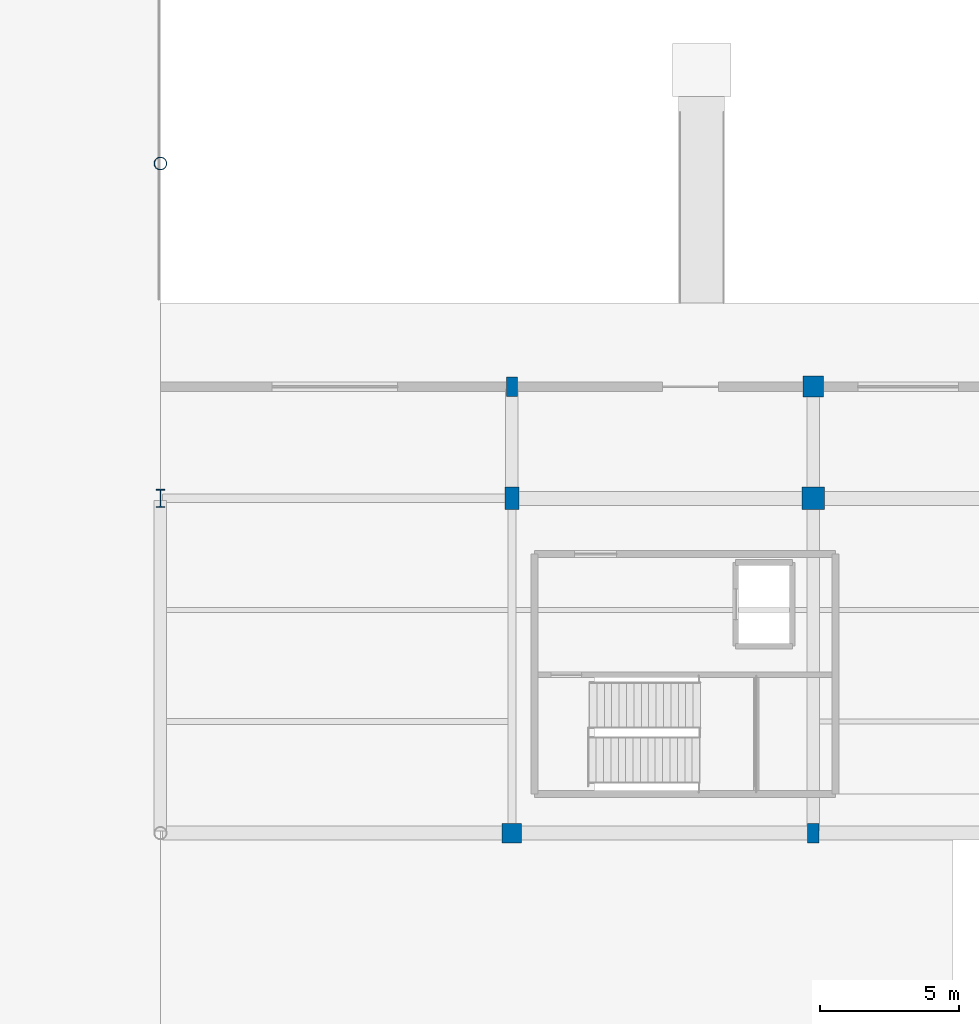
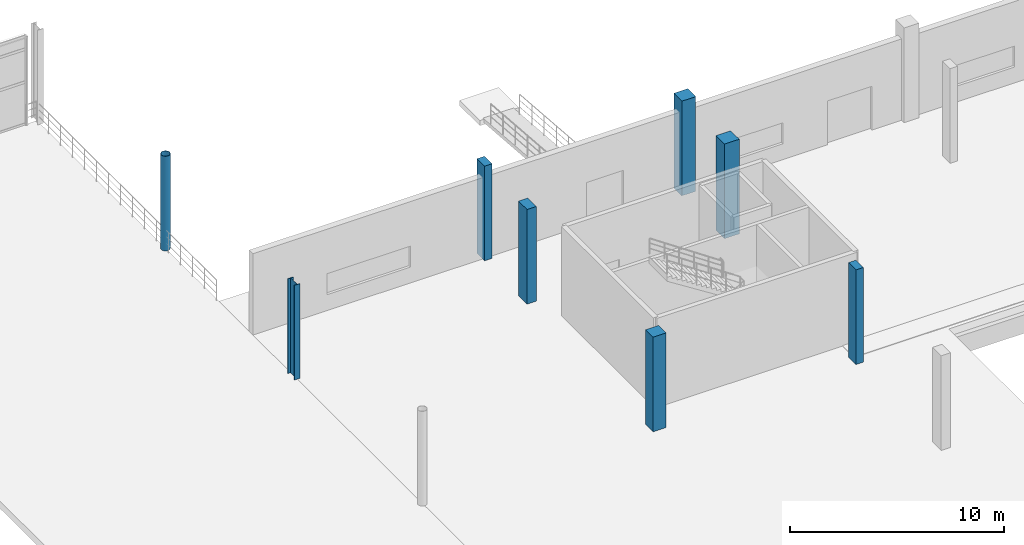
# One storey, part 8 of 85: 8 columns.
"""IFC4 building model written with IfcOpenShell, lengths in metres."""

from ifc_helpers import new_model, si_unit, direction, frame, origin, origin_2d, place, context, subcontext, project, spatial, rectangle, hollow_circle, i_section, extrude, material, material_profile, profile_set, type_object, element, save


model = new_model("IFC4")

# Units and contexts
model_context = context("Model", 3, precision=1e-05, world=origin(), true_north=direction((0.0, 1.0)))
body_context = subcontext(model_context, "Body", "Model", "MODEL_VIEW")
ifc_project = project(units=[si_unit("LENGTHUNIT", "METRE"), si_unit("AREAUNIT", "SQUARE_METRE"), si_unit("VOLUMEUNIT", "CUBIC_METRE"), si_unit("PLANEANGLEUNIT", "RADIAN"), si_unit("MASSUNIT", "GRAM", prefix="KILO"), si_unit("THERMODYNAMICTEMPERATUREUNIT", "KELVIN"), si_unit("POWERUNIT", "WATT")], contexts=[model_context])

# Site, building, storey
site_placement = place(None, origin())
site = spatial("IfcSite", under=ifc_project, at=site_placement, CompositionType="ELEMENT")
building_placement = place(site_placement, origin())
building = spatial("IfcBuilding", under=site, at=building_placement, Name="Solmara Park Aquatics Centre", CompositionType="ELEMENT")
storey_placement = place(building_placement, origin())
storey = spatial("IfcBuildingStorey", under=building, at=storey_placement, Name="L00", CompositionType="ELEMENT", Elevation=0.0)

# Columns
ifc_material_1 = material(Name="Structural Steel S355", Category="steel")
ifc_material_profile_1 = material_profile(ifc_material_1, hollow_circle(Radius=0.228515625, WallThickness=0.01611328125, at=origin_2d()), Name="CHS 457x16")
ifc_profile_set_1 = profile_set([ifc_material_profile_1], Name="Structural Steel S355")
column_type_1 = type_object("IfcColumnType", Name="STR-COL-CHS457", PredefinedType="COLUMN", material=ifc_profile_set_1)
column_1_placement = place(storey_placement, frame((96.60009765625, 60.60009765625, 0.0), z_axis=(0.0, 0.0, 1.0), x_axis=(1.0, 0.0, 0.0)))
element("IfcColumn", 1, at=column_1_placement, inside=storey, type_object=column_type_1, Name="Column L00-0233", PredefinedType="COLUMN", context=body_context, shape_type="SweptSolid", body=[
    extrude(hollow_circle(Radius=0.228515625, WallThickness=0.01611328125, at=origin_2d()), origin(), (0.0, 0.0, 1.0), 5.39990234375),
])
ifc_material_profile_2 = material_profile(ifc_material_1, i_section(OverallWidth=0.300048828125, OverallDepth=0.64990234375, WebThickness=0.01611328125, FlangeThickness=0.031005859375, FilletRadius=0.027099609375, at=origin_2d()), Name="HEB 650")
ifc_profile_set_2 = profile_set([ifc_material_profile_2], Name="Structural Steel S355")
column_type_2 = type_object("IfcColumnType", Name="STR-COL-HEB650", PredefinedType="COLUMN", material=ifc_profile_set_2)
column_2_placement = place(storey_placement, frame((96.60009765625, 48.60009765625, 0.0), z_axis=(0.0, 0.0, 1.0), x_axis=(1.0, 0.0, 0.0)))
element("IfcColumn", 2, at=column_2_placement, inside=storey, type_object=column_type_2, Name="Column L00-0232", PredefinedType="COLUMN", context=body_context, shape_type="SweptSolid", body=[
    extrude(i_section(OverallWidth=0.300048828125, OverallDepth=0.64990234375, WebThickness=0.01611328125, FlangeThickness=0.031005859375, FilletRadius=0.027099609375, at=origin_2d()), origin(), (0.0, 0.0, 1.0), 5.39990234375),
])
ifc_material_2 = material(Name="Concrete C40/50", Category="concrete")
ifc_material_profile_3 = material_profile(ifc_material_2, rectangle(XDim=0.5, YDim=0.800048828125, at=origin_2d()), Name="RC 500x800")
ifc_profile_set_3 = profile_set([ifc_material_profile_3], Name="Concrete C40/50")
column_type_3 = type_object("IfcColumnType", Name="STR-COL-RC500x800", PredefinedType="COLUMN", material=ifc_profile_set_3)
column_3_placement = place(storey_placement, frame((109.199951171875, 48.60009765625, 0.0), z_axis=(0.0, 0.0, 1.0), x_axis=(1.0, 0.0, 0.0)))
element("IfcColumn", 3, at=column_3_placement, inside=storey, type_object=column_type_3, Name="Column L00-0243", PredefinedType="COLUMN", context=body_context, shape_type="SweptSolid", body=[
    extrude(rectangle(XDim=0.5, YDim=0.800048828125, at=origin_2d()), origin(), (0.0, 0.0, 1.0), 5.39990234375),
])
ifc_material_profile_4 = material_profile(ifc_material_2, rectangle(XDim=0.699951171875, YDim=0.699951171875, at=origin_2d()), Name="RC 700x700")
ifc_profile_set_4 = profile_set([ifc_material_profile_4], Name="Concrete C40/50")
column_type_4 = type_object("IfcColumnType", Name="STR-COL-RC700", PredefinedType="COLUMN", material=ifc_profile_set_4)
column_4_placement = place(storey_placement, frame((109.199951171875, 36.60009765625, 0.0), z_axis=(0.0, 0.0, 1.0), x_axis=(1.0, 0.0, 0.0)))
element("IfcColumn", 4, at=column_4_placement, inside=storey, type_object=column_type_4, Name="Column L00-0242", PredefinedType="COLUMN", context=body_context, shape_type="SweptSolid", body=[
    extrude(rectangle(XDim=0.699951171875, YDim=0.699951171875, at=origin_2d()), origin(), (0.0, 0.0, 1.0), 5.39990234375),
])
ifc_material_profile_5 = material_profile(ifc_material_2, rectangle(XDim=0.75, YDim=0.75, at=origin_2d()), Name="RC 750x750")
ifc_profile_set_5 = profile_set([ifc_material_profile_5], Name="Concrete C40/50")
column_type_5 = type_object("IfcColumnType", Name="STR-COL-RC750", PredefinedType="COLUMN", material=ifc_profile_set_5)
column_5_placement = place(storey_placement, frame((120.0, 52.60009765625, 0.0), z_axis=(0.0, 0.0, 1.0), x_axis=(1.0, 0.0, 0.0)))
element("IfcColumn", 5, at=column_5_placement, inside=storey, type_object=column_type_5, Name="Column L00-0256", PredefinedType="COLUMN", context=body_context, shape_type="SweptSolid", body=[
    extrude(rectangle(XDim=0.75, YDim=0.75, at=origin_2d()), origin(), (0.0, 0.0, 1.0), 5.39990234375),
])
ifc_material_profile_6 = material_profile(ifc_material_2, rectangle(XDim=0.800048828125, YDim=0.800048828125, at=origin_2d()), Name="RC 800x800")
ifc_profile_set_6 = profile_set([ifc_material_profile_6], Name="Concrete C40/50")
column_type_6 = type_object("IfcColumnType", Name="STR-COL-RC800", PredefinedType="COLUMN", material=ifc_profile_set_6)
column_6_placement = place(storey_placement, frame((120.0, 48.60009765625, 0.0), z_axis=(0.0, 0.0, 1.0), x_axis=(1.0, 0.0, 0.0)))
element("IfcColumn", 6, at=column_6_placement, inside=storey, type_object=column_type_6, Name="Column L00-0255", PredefinedType="COLUMN", context=body_context, shape_type="SweptSolid", body=[
    extrude(rectangle(XDim=0.800048828125, YDim=0.800048828125, at=origin_2d()), origin(), (0.0, 0.0, 1.0), 5.39990234375),
])
ifc_material_profile_7 = material_profile(ifc_material_2, rectangle(XDim=0.39990234375, YDim=0.699951171875, at=origin_2d()), Name="RC 400x700")
ifc_profile_set_7 = profile_set([ifc_material_profile_7], Name="Concrete C40/50")
column_type_7 = type_object("IfcColumnType", Name="STR-PIL-RC400x700", PredefinedType="PILASTER", material=ifc_profile_set_7)
for number, where, z_axis, x_axis, name in (
    (7, (109.199951171875, 52.60009765625, 0.0), (0.0, 0.0, 1.0), (1.0, 0.0, 0.0), "Column L00-0244"),
    (8, (120.0, 36.60009765625, 0.0), (0.0, 0.0, 1.0), (1.0, 0.0, 0.0), "Column L00-0254"),
):
    element("IfcColumn", number, at=place(storey_placement, frame(where, z_axis=z_axis, x_axis=x_axis)), inside=storey, type_object=column_type_7, Name=name, PredefinedType="PILASTER", context=body_context, shape_type="SweptSolid", body=[
        extrude(rectangle(XDim=0.39990234375, YDim=0.699951171875, at=origin_2d()), origin(), (0.0, 0.0, 1.0), 5.39990234375),
    ])

save(model, "model.ifc")
